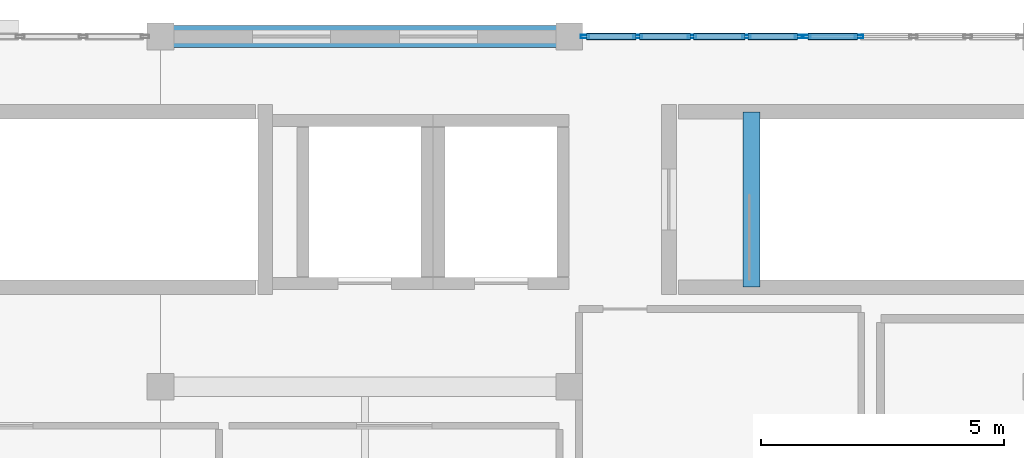
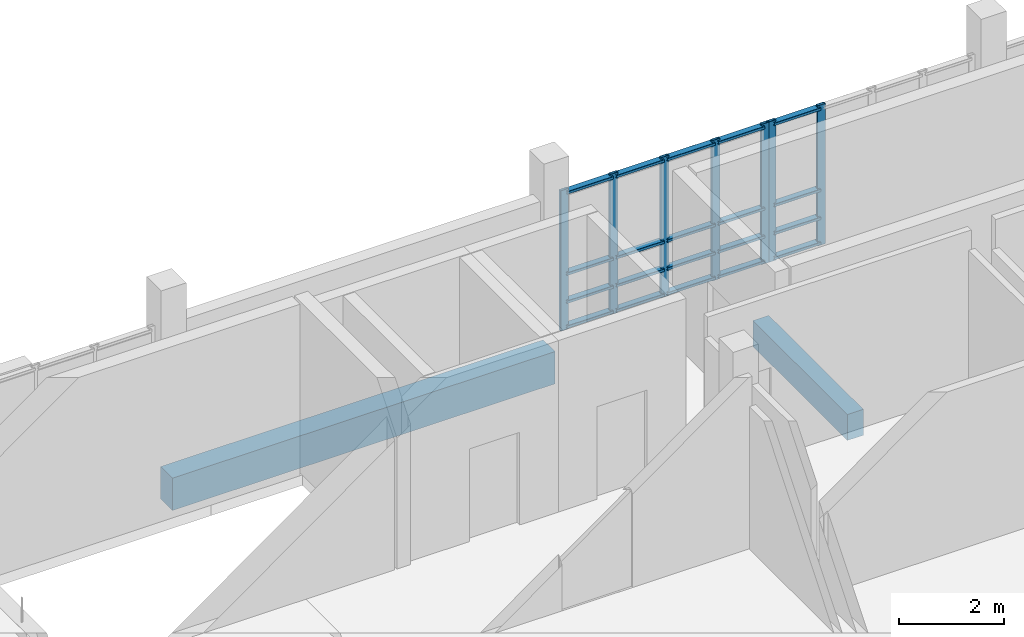
# One storey, part 3 of 11: 27 members, 2 beams, 2 elements without a shape of their own.
"""IFC4 building model written with IfcOpenShell, lengths in metres."""

from ifc_helpers import new_model, si_unit, direction, frame, origin, origin_2d, place, context, subcontext, project, spatial, rectangle, hollow_rectangle, extrude, material, layer, layer_set, material_profile, profile_set, type_object, element, aggregate, save


model = new_model("IFC4")

# Units and contexts
model_context = context("Model", 3, precision=1e-05, world=origin(), true_north=direction((0.0, 1.0)))
body_context = subcontext(model_context, "Body", "Model", "MODEL_VIEW")
ifc_project = project(units=[si_unit("LENGTHUNIT", "METRE"), si_unit("AREAUNIT", "SQUARE_METRE"), si_unit("VOLUMEUNIT", "CUBIC_METRE"), si_unit("PLANEANGLEUNIT", "RADIAN"), si_unit("MASSUNIT", "GRAM", prefix="KILO")], contexts=[model_context])

# Site, building, storey
site_placement = place(None, origin())
site = spatial("IfcSite", under=ifc_project, at=site_placement, CompositionType="ELEMENT")
building_placement = place(site_placement, origin())
building = spatial("IfcBuilding", under=site, at=building_placement, Name="Kisaragi Civic Commons", CompositionType="ELEMENT")
storey_placement = place(building_placement, frame((0.0, 0.0, 17.39990234375)))
storey = spatial("IfcBuildingStorey", under=building, at=storey_placement, Name="L04", CompositionType="ELEMENT", Elevation=17.39990234375)

# Curtain wall, members
ifc_material_1 = material(Name="Thermally broken anodized aluminium and low-E double glazing", Category="aluminium")
ifc_layer = layer(ifc_material_1, 0.179931640625, Name="Thermally broken anodized aluminium and low-E double glazing", Category="aluminium")
ifc_layer_set = layer_set([ifc_layer], Name="Thermally broken anodized aluminium and low-E double glazing")
curtain_wall_type = type_object("IfcCurtainWallType", Name="CW-01", PredefinedType="NOTDEFINED", material=ifc_layer_set)
curtain_wall_1_placement = place(storey_placement, origin())
curtain_wall_1 = element("IfcCurtainWall", 1, at=curtain_wall_1_placement, inside=storey, type_object=curtain_wall_type, Name="L04 curtain wall CW-01 CW-V4-L04-113", PredefinedType="NOTDEFINED")
ifc_material_profile_1 = material_profile(ifc_material_1, hollow_rectangle(XDim=0.06494140625, YDim=0.179931640625, WallThickness=0.00439453125, InnerFilletRadius=0.00439453125, OuterFilletRadius=0.009033203125, at=origin_2d()), Name="CWM-65x180x4.5", Category="aluminium")
ifc_profile_set_1 = profile_set([ifc_material_profile_1], Name="Thermally broken anodized aluminium and low-E double glazing")
member_type_1 = type_object("IfcMemberType", Name="CWM-02", PredefinedType="MULLION", material=ifc_profile_set_1)
member_1_placement = place(storey_placement, frame((114.322509765625, 118.800048828125, 0.0), z_axis=(0.0, 0.0, 1.0), x_axis=(0.0, 1.0, 0.0)))
member_1 = element("IfcMember", 2, at=member_1_placement, type_object=member_type_1, Name="CW-01 mullion 1", PredefinedType="MULLION", context=body_context, shape_type="SweptSolid", body=[
    extrude(hollow_rectangle(XDim=0.06494140625, YDim=0.179931640625, WallThickness=0.00439453125, InnerFilletRadius=0.00439453125, OuterFilletRadius=0.009033203125, at=origin_2d()), origin(), (0.0, 0.0, 1.0), 3.255126953125),
])
member_2_placement = place(storey_placement, frame((115.407470703125, 118.800048828125, 0.0), z_axis=(0.0, 0.0, 1.0), x_axis=(0.0, 1.0, 0.0)))
member_2 = element("IfcMember", 3, at=member_2_placement, type_object=member_type_1, Name="CW-01 mullion 2", PredefinedType="MULLION", context=body_context, shape_type="SweptSolid", body=[
    extrude(hollow_rectangle(XDim=0.06494140625, YDim=0.179931640625, WallThickness=0.00439453125, InnerFilletRadius=0.00439453125, OuterFilletRadius=0.009033203125, at=origin_2d()), origin(), (0.0, 0.0, 1.0), 3.255126953125),
])
member_3_placement = place(storey_placement, frame((116.52490234375, 118.800048828125, 0.0), z_axis=(0.0, 0.0, 1.0), x_axis=(0.0, 1.0, 0.0)))
member_3 = element("IfcMember", 4, at=member_3_placement, type_object=member_type_1, Name="CW-01 mullion 3", PredefinedType="MULLION", context=body_context, shape_type="SweptSolid", body=[
    extrude(hollow_rectangle(XDim=0.06494140625, YDim=0.179931640625, WallThickness=0.00439453125, InnerFilletRadius=0.00439453125, OuterFilletRadius=0.009033203125, at=origin_2d()), origin(), (0.0, 0.0, 1.0), 3.255126953125),
])
member_4_placement = place(storey_placement, frame((117.642578125, 118.800048828125, 0.0), z_axis=(0.0, 0.0, 1.0), x_axis=(0.0, 1.0, 0.0)))
member_4 = element("IfcMember", 5, at=member_4_placement, type_object=member_type_1, Name="CW-01 mullion 4", PredefinedType="MULLION", context=body_context, shape_type="SweptSolid", body=[
    extrude(hollow_rectangle(XDim=0.06494140625, YDim=0.179931640625, WallThickness=0.00439453125, InnerFilletRadius=0.00439453125, OuterFilletRadius=0.009033203125, at=origin_2d()), origin(), (0.0, 0.0, 1.0), 3.255126953125),
])
member_5_placement = place(storey_placement, frame((118.7275390625, 118.800048828125, 0.0), z_axis=(0.0, 0.0, 1.0), x_axis=(0.0, 1.0, 0.0)))
member_5 = element("IfcMember", 6, at=member_5_placement, type_object=member_type_1, Name="CW-01 mullion 5", PredefinedType="MULLION", context=body_context, shape_type="SweptSolid", body=[
    extrude(hollow_rectangle(XDim=0.06494140625, YDim=0.179931640625, WallThickness=0.00439453125, InnerFilletRadius=0.00439453125, OuterFilletRadius=0.009033203125, at=origin_2d()), origin(), (0.0, 0.0, 1.0), 3.255126953125),
])

curtain_wall_2_placement = place(storey_placement, origin())
curtain_wall_2 = element("IfcCurtainWall", 7, at=curtain_wall_2_placement, inside=storey, type_object=curtain_wall_type, Name="L04 curtain wall CW-01 CW-V4-L04-114", PredefinedType="NOTDEFINED")
member_6_placement = place(storey_placement, frame((118.87255859375, 118.800048828125, 0.0), z_axis=(0.0, 0.0, 1.0), x_axis=(0.0, 1.0, 0.0)))
member_6 = element("IfcMember", 8, at=member_6_placement, type_object=member_type_1, Name="CW-01 mullion 1", PredefinedType="MULLION", context=body_context, shape_type="SweptSolid", body=[
    extrude(hollow_rectangle(XDim=0.06494140625, YDim=0.179931640625, WallThickness=0.00439453125, InnerFilletRadius=0.00439453125, OuterFilletRadius=0.009033203125, at=origin_2d()), origin(), (0.0, 0.0, 1.0), 3.255126953125),
])
member_7_placement = place(storey_placement, frame((119.95751953125, 118.800048828125, 0.0), z_axis=(0.0, 0.0, 1.0), x_axis=(0.0, 1.0, 0.0)))
member_7 = element("IfcMember", 9, at=member_7_placement, type_object=member_type_1, Name="CW-01 mullion 2", PredefinedType="MULLION", context=body_context, shape_type="SweptSolid", body=[
    extrude(hollow_rectangle(XDim=0.06494140625, YDim=0.179931640625, WallThickness=0.00439453125, InnerFilletRadius=0.00439453125, OuterFilletRadius=0.009033203125, at=origin_2d()), origin(), (0.0, 0.0, 1.0), 3.255126953125),
])

# Member
ifc_material_profile_2 = material_profile(ifc_material_1, hollow_rectangle(XDim=0.139892578125, YDim=0.06494140625, WallThickness=0.00439453125, InnerFilletRadius=0.00439453125, OuterFilletRadius=0.009033203125, at=origin_2d()), Name="CWT-65x140x4.5", Category="aluminium")
ifc_profile_set_2 = profile_set([ifc_material_profile_2], Name="Thermally broken anodized aluminium and low-E double glazing")
member_type_2 = type_object("IfcMemberType", Name="CWT-02", PredefinedType="USERDEFINED", material=ifc_profile_set_2)
member_8_placement = place(storey_placement, frame((114.35498046875, 118.800048828125, 0.070068359375), z_axis=(1.0, 0.0, 0.0), x_axis=(0.0, 1.0, 0.0)))
member_8 = element("IfcMember", 10, at=member_8_placement, type_object=member_type_2, Name="CW-01 transom 1.1", ObjectType="TRANSOM", PredefinedType="USERDEFINED", context=body_context, shape_type="SweptSolid", body=[
    extrude(hollow_rectangle(XDim=0.139892578125, YDim=0.06494140625, WallThickness=0.00439453125, InnerFilletRadius=0.00439453125, OuterFilletRadius=0.009033203125, at=origin_2d()), origin(), (0.0, 0.0, 1.0), 1.02001953125),
])

member_9_placement = place(storey_placement, frame((114.35498046875, 118.800048828125, 0.650146484375), z_axis=(1.0, 0.0, 0.0), x_axis=(0.0, 1.0, 0.0)))
member_9 = element("IfcMember", 11, at=member_9_placement, type_object=member_type_2, Name="CW-01 transom 1.2", ObjectType="TRANSOM", PredefinedType="USERDEFINED", context=body_context, shape_type="SweptSolid", body=[
    extrude(hollow_rectangle(XDim=0.139892578125, YDim=0.06494140625, WallThickness=0.00439453125, InnerFilletRadius=0.00439453125, OuterFilletRadius=0.009033203125, at=origin_2d()), origin(), (0.0, 0.0, 1.0), 1.02001953125),
])

member_10_placement = place(storey_placement, frame((114.35498046875, 118.800048828125, 1.300048828125), z_axis=(1.0, 0.0, 0.0), x_axis=(0.0, 1.0, 0.0)))
member_10 = element("IfcMember", 12, at=member_10_placement, type_object=member_type_2, Name="CW-01 transom 1.3", ObjectType="TRANSOM", PredefinedType="USERDEFINED", context=body_context, shape_type="SweptSolid", body=[
    extrude(hollow_rectangle(XDim=0.139892578125, YDim=0.06494140625, WallThickness=0.00439453125, InnerFilletRadius=0.00439453125, OuterFilletRadius=0.009033203125, at=origin_2d()), origin(), (0.0, 0.0, 1.0), 1.02001953125),
])

member_11_placement = place(storey_placement, frame((114.35498046875, 118.800048828125, 3.18505859375), z_axis=(1.0, 0.0, 0.0), x_axis=(0.0, 1.0, 0.0)))
member_11 = element("IfcMember", 13, at=member_11_placement, type_object=member_type_2, Name="CW-01 transom 1.4", ObjectType="TRANSOM", PredefinedType="USERDEFINED", context=body_context, shape_type="SweptSolid", body=[
    extrude(hollow_rectangle(XDim=0.139892578125, YDim=0.06494140625, WallThickness=0.00439453125, InnerFilletRadius=0.00439453125, OuterFilletRadius=0.009033203125, at=origin_2d()), origin(), (0.0, 0.0, 1.0), 1.02001953125),
])

member_12_placement = place(storey_placement, frame((115.43994140625, 118.800048828125, 0.070068359375), z_axis=(1.0, 0.0, 0.0), x_axis=(0.0, 1.0, 0.0)))
member_12 = element("IfcMember", 14, at=member_12_placement, type_object=member_type_2, Name="CW-01 transom 2.1", ObjectType="TRANSOM", PredefinedType="USERDEFINED", context=body_context, shape_type="SweptSolid", body=[
    extrude(hollow_rectangle(XDim=0.139892578125, YDim=0.06494140625, WallThickness=0.00439453125, InnerFilletRadius=0.00439453125, OuterFilletRadius=0.009033203125, at=origin_2d()), origin(), (0.0, 0.0, 1.0), 1.052490234375),
])

member_13_placement = place(storey_placement, frame((115.43994140625, 118.800048828125, 0.650146484375), z_axis=(1.0, 0.0, 0.0), x_axis=(0.0, 1.0, 0.0)))
member_13 = element("IfcMember", 15, at=member_13_placement, type_object=member_type_2, Name="CW-01 transom 2.2", ObjectType="TRANSOM", PredefinedType="USERDEFINED", context=body_context, shape_type="SweptSolid", body=[
    extrude(hollow_rectangle(XDim=0.139892578125, YDim=0.06494140625, WallThickness=0.00439453125, InnerFilletRadius=0.00439453125, OuterFilletRadius=0.009033203125, at=origin_2d()), origin(), (0.0, 0.0, 1.0), 1.052490234375),
])

member_14_placement = place(storey_placement, frame((115.43994140625, 118.800048828125, 1.300048828125), z_axis=(1.0, 0.0, 0.0), x_axis=(0.0, 1.0, 0.0)))
member_14 = element("IfcMember", 16, at=member_14_placement, type_object=member_type_2, Name="CW-01 transom 2.3", ObjectType="TRANSOM", PredefinedType="USERDEFINED", context=body_context, shape_type="SweptSolid", body=[
    extrude(hollow_rectangle(XDim=0.139892578125, YDim=0.06494140625, WallThickness=0.00439453125, InnerFilletRadius=0.00439453125, OuterFilletRadius=0.009033203125, at=origin_2d()), origin(), (0.0, 0.0, 1.0), 1.052490234375),
])

member_15_placement = place(storey_placement, frame((115.43994140625, 118.800048828125, 3.18505859375), z_axis=(1.0, 0.0, 0.0), x_axis=(0.0, 1.0, 0.0)))
member_15 = element("IfcMember", 17, at=member_15_placement, type_object=member_type_2, Name="CW-01 transom 2.4", ObjectType="TRANSOM", PredefinedType="USERDEFINED", context=body_context, shape_type="SweptSolid", body=[
    extrude(hollow_rectangle(XDim=0.139892578125, YDim=0.06494140625, WallThickness=0.00439453125, InnerFilletRadius=0.00439453125, OuterFilletRadius=0.009033203125, at=origin_2d()), origin(), (0.0, 0.0, 1.0), 1.052490234375),
])

member_16_placement = place(storey_placement, frame((116.5576171875, 118.800048828125, 0.070068359375), z_axis=(1.0, 0.0, 0.0), x_axis=(0.0, 1.0, 0.0)))
member_16 = element("IfcMember", 18, at=member_16_placement, type_object=member_type_2, Name="CW-01 transom 3.1", ObjectType="TRANSOM", PredefinedType="USERDEFINED", context=body_context, shape_type="SweptSolid", body=[
    extrude(hollow_rectangle(XDim=0.139892578125, YDim=0.06494140625, WallThickness=0.00439453125, InnerFilletRadius=0.00439453125, OuterFilletRadius=0.009033203125, at=origin_2d()), origin(), (0.0, 0.0, 1.0), 1.052490234375),
])

member_17_placement = place(storey_placement, frame((116.5576171875, 118.800048828125, 0.650146484375), z_axis=(1.0, 0.0, 0.0), x_axis=(0.0, 1.0, 0.0)))
member_17 = element("IfcMember", 19, at=member_17_placement, type_object=member_type_2, Name="CW-01 transom 3.2", ObjectType="TRANSOM", PredefinedType="USERDEFINED", context=body_context, shape_type="SweptSolid", body=[
    extrude(hollow_rectangle(XDim=0.139892578125, YDim=0.06494140625, WallThickness=0.00439453125, InnerFilletRadius=0.00439453125, OuterFilletRadius=0.009033203125, at=origin_2d()), origin(), (0.0, 0.0, 1.0), 1.052490234375),
])

member_18_placement = place(storey_placement, frame((116.5576171875, 118.800048828125, 1.300048828125), z_axis=(1.0, 0.0, 0.0), x_axis=(0.0, 1.0, 0.0)))
member_18 = element("IfcMember", 20, at=member_18_placement, type_object=member_type_2, Name="CW-01 transom 3.3", ObjectType="TRANSOM", PredefinedType="USERDEFINED", context=body_context, shape_type="SweptSolid", body=[
    extrude(hollow_rectangle(XDim=0.139892578125, YDim=0.06494140625, WallThickness=0.00439453125, InnerFilletRadius=0.00439453125, OuterFilletRadius=0.009033203125, at=origin_2d()), origin(), (0.0, 0.0, 1.0), 1.052490234375),
])

member_19_placement = place(storey_placement, frame((116.5576171875, 118.800048828125, 3.18505859375), z_axis=(1.0, 0.0, 0.0), x_axis=(0.0, 1.0, 0.0)))
member_19 = element("IfcMember", 21, at=member_19_placement, type_object=member_type_2, Name="CW-01 transom 3.4", ObjectType="TRANSOM", PredefinedType="USERDEFINED", context=body_context, shape_type="SweptSolid", body=[
    extrude(hollow_rectangle(XDim=0.139892578125, YDim=0.06494140625, WallThickness=0.00439453125, InnerFilletRadius=0.00439453125, OuterFilletRadius=0.009033203125, at=origin_2d()), origin(), (0.0, 0.0, 1.0), 1.052490234375),
])

member_20_placement = place(storey_placement, frame((117.675048828125, 118.800048828125, 0.070068359375), z_axis=(1.0, 0.0, 0.0), x_axis=(0.0, 1.0, 0.0)))
member_20 = element("IfcMember", 22, at=member_20_placement, type_object=member_type_2, Name="CW-01 transom 4.1", ObjectType="TRANSOM", PredefinedType="USERDEFINED", context=body_context, shape_type="SweptSolid", body=[
    extrude(hollow_rectangle(XDim=0.139892578125, YDim=0.06494140625, WallThickness=0.00439453125, InnerFilletRadius=0.00439453125, OuterFilletRadius=0.009033203125, at=origin_2d()), origin(), (0.0, 0.0, 1.0), 1.02001953125),
])

member_21_placement = place(storey_placement, frame((117.675048828125, 118.800048828125, 0.650146484375), z_axis=(1.0, 0.0, 0.0), x_axis=(0.0, 1.0, 0.0)))
member_21 = element("IfcMember", 23, at=member_21_placement, type_object=member_type_2, Name="CW-01 transom 4.2", ObjectType="TRANSOM", PredefinedType="USERDEFINED", context=body_context, shape_type="SweptSolid", body=[
    extrude(hollow_rectangle(XDim=0.139892578125, YDim=0.06494140625, WallThickness=0.00439453125, InnerFilletRadius=0.00439453125, OuterFilletRadius=0.009033203125, at=origin_2d()), origin(), (0.0, 0.0, 1.0), 1.02001953125),
])

member_22_placement = place(storey_placement, frame((117.675048828125, 118.800048828125, 1.300048828125), z_axis=(1.0, 0.0, 0.0), x_axis=(0.0, 1.0, 0.0)))
member_22 = element("IfcMember", 24, at=member_22_placement, type_object=member_type_2, Name="CW-01 transom 4.3", ObjectType="TRANSOM", PredefinedType="USERDEFINED", context=body_context, shape_type="SweptSolid", body=[
    extrude(hollow_rectangle(XDim=0.139892578125, YDim=0.06494140625, WallThickness=0.00439453125, InnerFilletRadius=0.00439453125, OuterFilletRadius=0.009033203125, at=origin_2d()), origin(), (0.0, 0.0, 1.0), 1.02001953125),
])

member_23_placement = place(storey_placement, frame((117.675048828125, 118.800048828125, 3.18505859375), z_axis=(1.0, 0.0, 0.0), x_axis=(0.0, 1.0, 0.0)))
member_23 = element("IfcMember", 25, at=member_23_placement, type_object=member_type_2, Name="CW-01 transom 4.4", ObjectType="TRANSOM", PredefinedType="USERDEFINED", context=body_context, shape_type="SweptSolid", body=[
    extrude(hollow_rectangle(XDim=0.139892578125, YDim=0.06494140625, WallThickness=0.00439453125, InnerFilletRadius=0.00439453125, OuterFilletRadius=0.009033203125, at=origin_2d()), origin(), (0.0, 0.0, 1.0), 1.02001953125),
])

aggregate(curtain_wall_1, [member_1, member_2, member_3, member_4, member_5, member_8, member_9, member_10, member_11, member_12, member_13, member_14, member_15, member_16, member_17, member_18, member_19, member_20, member_21, member_22, member_23])

member_24_placement = place(storey_placement, frame((118.905029296875, 118.800048828125, 0.070068359375), z_axis=(1.0, 0.0, 0.0), x_axis=(0.0, 1.0, 0.0)))
member_24 = element("IfcMember", 26, at=member_24_placement, type_object=member_type_2, Name="CW-01 transom 1.1", ObjectType="TRANSOM", PredefinedType="USERDEFINED", context=body_context, shape_type="SweptSolid", body=[
    extrude(hollow_rectangle(XDim=0.139892578125, YDim=0.06494140625, WallThickness=0.00439453125, InnerFilletRadius=0.00439453125, OuterFilletRadius=0.009033203125, at=origin_2d()), origin(), (0.0, 0.0, 1.0), 1.02001953125),
])

member_25_placement = place(storey_placement, frame((118.905029296875, 118.800048828125, 0.650146484375), z_axis=(1.0, 0.0, 0.0), x_axis=(0.0, 1.0, 0.0)))
member_25 = element("IfcMember", 27, at=member_25_placement, type_object=member_type_2, Name="CW-01 transom 1.2", ObjectType="TRANSOM", PredefinedType="USERDEFINED", context=body_context, shape_type="SweptSolid", body=[
    extrude(hollow_rectangle(XDim=0.139892578125, YDim=0.06494140625, WallThickness=0.00439453125, InnerFilletRadius=0.00439453125, OuterFilletRadius=0.009033203125, at=origin_2d()), origin(), (0.0, 0.0, 1.0), 1.02001953125),
])

member_26_placement = place(storey_placement, frame((118.905029296875, 118.800048828125, 1.300048828125), z_axis=(1.0, 0.0, 0.0), x_axis=(0.0, 1.0, 0.0)))
member_26 = element("IfcMember", 28, at=member_26_placement, type_object=member_type_2, Name="CW-01 transom 1.3", ObjectType="TRANSOM", PredefinedType="USERDEFINED", context=body_context, shape_type="SweptSolid", body=[
    extrude(hollow_rectangle(XDim=0.139892578125, YDim=0.06494140625, WallThickness=0.00439453125, InnerFilletRadius=0.00439453125, OuterFilletRadius=0.009033203125, at=origin_2d()), origin(), (0.0, 0.0, 1.0), 1.02001953125),
])

member_27_placement = place(storey_placement, frame((118.905029296875, 118.800048828125, 3.18505859375), z_axis=(1.0, 0.0, 0.0), x_axis=(0.0, 1.0, 0.0)))
member_27 = element("IfcMember", 29, at=member_27_placement, type_object=member_type_2, Name="CW-01 transom 1.4", ObjectType="TRANSOM", PredefinedType="USERDEFINED", context=body_context, shape_type="SweptSolid", body=[
    extrude(hollow_rectangle(XDim=0.139892578125, YDim=0.06494140625, WallThickness=0.00439453125, InnerFilletRadius=0.00439453125, OuterFilletRadius=0.009033203125, at=origin_2d()), origin(), (0.0, 0.0, 1.0), 1.02001953125),
])

aggregate(curtain_wall_2, [member_6, member_7, member_24, member_25, member_26, member_27])

# Beams
ifc_material_2 = material(Name="Concrete Fc30", Category="concrete")
ifc_material_profile_3 = material_profile(ifc_material_2, rectangle(XDim=0.35009765625, YDim=0.60009765625, at=origin_2d()), Name="RC-350x600", Category="concrete")
ifc_profile_set_3 = profile_set([ifc_material_profile_3], Name="Concrete Fc30")
beam_type_1 = type_object("IfcBeamType", Name="G-14", PredefinedType="BEAM", material=ifc_profile_set_3)
beam_1_placement = place(storey_placement, frame((117.75, 113.64990234375, -0.2998046875), z_axis=(0.0, 1.0, 0.0), x_axis=(-1.0, 0.0, 0.0)))
element("IfcBeam", 30, at=beam_1_placement, inside=storey, type_object=beam_type_1, Name="ST-L2 L04 stair landing trimmer beam", PredefinedType="BEAM", context=body_context, shape_type="SweptSolid", body=[
    extrude(rectangle(XDim=0.35009765625, YDim=0.60009765625, at=origin_2d()), origin(), (0.0, 0.0, 1.0), 3.60009765625),
])
ifc_material_profile_4 = material_profile(ifc_material_2, rectangle(XDim=0.449951171875, YDim=0.75, at=origin_2d()), Name="RC-450x750", Category="concrete")
ifc_profile_set_4 = profile_set([ifc_material_profile_4], Name="Concrete Fc30")
beam_type_2 = type_object("IfcBeamType", Name="SPB-04", PredefinedType="SPANDREL", material=ifc_profile_set_4)
beam_2_placement = place(storey_placement, frame((105.60009765625, 118.800048828125, -0.64501953125), z_axis=(1.0, 0.0, 0.0), x_axis=(0.0, 1.0, 0.0)))
element("IfcBeam", 31, at=beam_2_placement, inside=storey, type_object=beam_type_2, Name="L04 girder SPB-04 344", PredefinedType="SPANDREL", context=body_context, shape_type="SweptSolid", body=[
    extrude(rectangle(XDim=0.449951171875, YDim=0.75, at=origin_2d()), origin(), (0.0, 0.0, 1.0), 8.39990234375),
])

save(model, "model.ifc")
